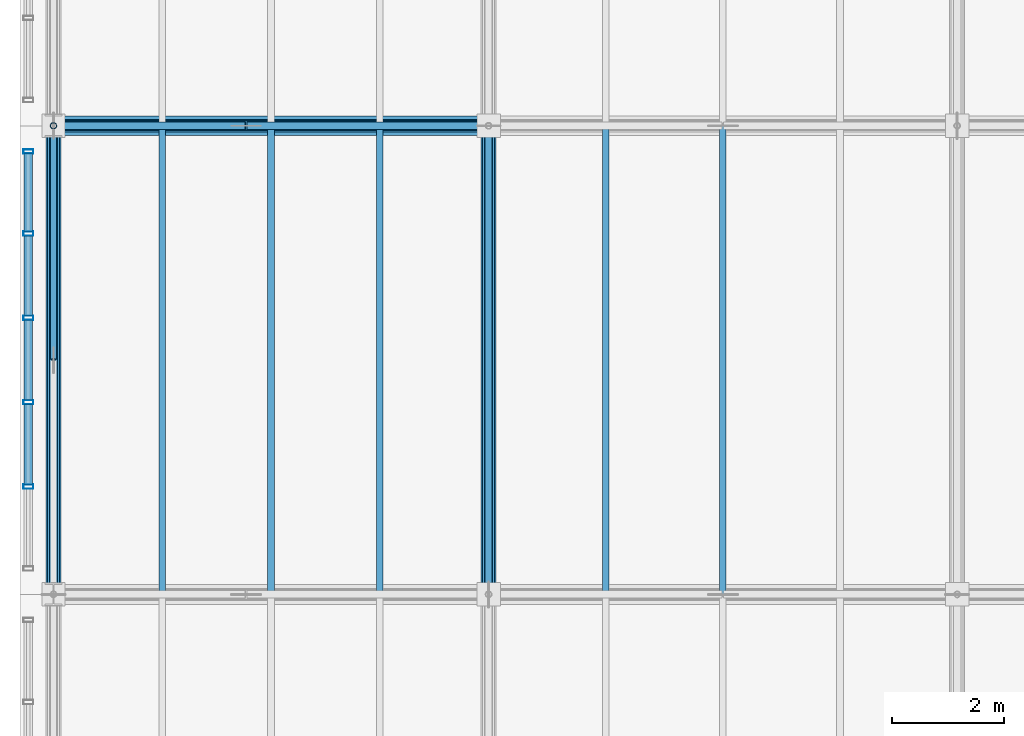
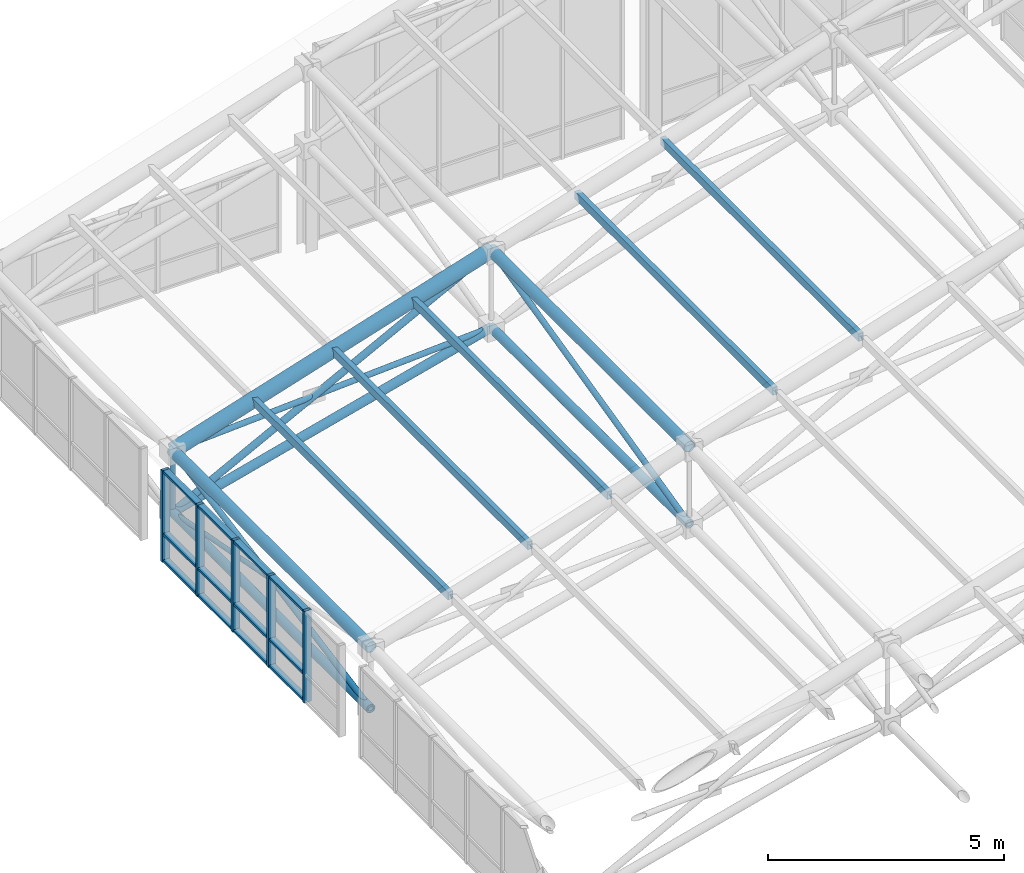
# One storey, part 61 of 144: 35 members, 1 element without a shape of its own.
"""IFC4 building model written with IfcOpenShell, lengths in metres."""

from ifc_helpers import new_model, si_unit, direction, frame, origin, origin_2d, place, context, subcontext, project, spatial, hollow_rectangle, hollow_circle, extrude, material, layer, layer_set, material_profile, profile_set, type_object, element, aggregate, save


model = new_model("IFC4")

# Units and contexts
model_context = context("Model", 3, precision=1e-05, world=origin(), true_north=direction((0.0, 1.0)))
body_context = subcontext(model_context, "Body", "Model", "MODEL_VIEW")
ifc_project = project(units=[si_unit("LENGTHUNIT", "METRE"), si_unit("AREAUNIT", "SQUARE_METRE"), si_unit("VOLUMEUNIT", "CUBIC_METRE"), si_unit("PLANEANGLEUNIT", "RADIAN"), si_unit("MASSUNIT", "GRAM", prefix="KILO")], contexts=[model_context])

# Site, building, storey
site_placement = place(None, origin())
site = spatial("IfcSite", under=ifc_project, at=site_placement, CompositionType="ELEMENT")
building_placement = place(site_placement, origin())
building = spatial("IfcBuilding", under=site, at=building_placement, Name="Zayran Congress Hotel", CompositionType="ELEMENT")
storey_placement = place(building_placement, frame((0.0, 0.0, 19.199951171875)))
storey = spatial("IfcBuildingStorey", under=building, at=storey_placement, Name="L04", CompositionType="ELEMENT", Elevation=19.199951171875)

# Members
ifc_material_1 = material(Name="Steel S355", Category="steel")
ifc_material_profile_1 = material_profile(ifc_material_1, hollow_circle(Radius=0.177734375, WallThickness=0.01611328125, at=origin_2d()), Name="CHS 355.6x16")
ifc_profile_set_1 = profile_set([ifc_material_profile_1], Name="Steel S355")
member_type_1 = type_object("IfcMemberType", Name="TP-SF-TC1", PredefinedType="CHORD", material=ifc_profile_set_1)
member_1_placement = place(storey_placement, frame((9.0, 109.60009765625, 2.19140625), z_axis=(0.953669693314, 0.0, 0.300855639892), x_axis=(0.0, 1.0, 0.0)))
element("IfcMember", 1, at=member_1_placement, inside=storey, type_object=member_type_1, Name="Space Frame Top Chord X 46", PredefinedType="CHORD", context=body_context, shape_type="SweptSolid", body=[
    extrude(hollow_circle(Radius=0.177734375, WallThickness=0.01611328125, at=origin_2d()), origin(), (0.0, 0.0, 1.0), 8.178955078125),
])
ifc_material_profile_2 = material_profile(ifc_material_1, hollow_circle(Radius=0.136474609375, WallThickness=0.012451171875, at=origin_2d()), Name="CHS 273x12.5")
ifc_profile_set_2 = profile_set([ifc_material_profile_2], Name="Steel S355")
member_type_2 = type_object("IfcMemberType", Name="TP-SF-TC2", PredefinedType="CHORD", material=ifc_profile_set_2)
for number, where, z_axis, x_axis, name in (
    (2, (9.0, 101.199951171875, 2.19140625), (0.0, 1.0, 0.0), (-1.0, 0.0, 0.0), "Space Frame Top Chord Y 41"),
    (3, (16.800048828125, 101.199951171875, 4.652099609375), (0.0, 1.0, 0.0), (-1.0, 0.0, 0.0), "Space Frame Top Chord Y 96"),
):
    element("IfcMember", number, at=place(storey_placement, frame(where, z_axis=z_axis, x_axis=x_axis)), inside=storey, type_object=member_type_2, Name=name, PredefinedType="CHORD", context=body_context, shape_type="SweptSolid", body=[
        extrude(hollow_circle(Radius=0.136474609375, WallThickness=0.012451171875, at=origin_2d()), origin(), (0.0, 0.0, 1.0), 8.400146484375),
    ])
ifc_material_profile_3 = material_profile(ifc_material_1, hollow_circle(Radius=0.109619140625, WallThickness=0.010009765625, at=origin_2d()), Name="CHS 219.1x10")
ifc_profile_set_3 = profile_set([ifc_material_profile_3], Name="Steel S355")
member_type_3 = type_object("IfcMemberType", Name="TP-SF-BC1", PredefinedType="CHORD", material=ifc_profile_set_3)
member_2_placement = place(storey_placement, frame((9.0, 101.199951171875, 0.60009765625), z_axis=(0.0, 1.0, 0.0), x_axis=(-1.0, 0.0, 0.0)))
element("IfcMember", 4, at=member_2_placement, inside=storey, type_object=member_type_3, Name="Space Frame Bottom Chord Y 42", PredefinedType="CHORD", context=body_context, shape_type="SweptSolid", body=[
    extrude(hollow_circle(Radius=0.109619140625, WallThickness=0.010009765625, at=origin_2d()), origin(), (0.0, 0.0, 1.0), 8.400146484375),
])
member_3_placement = place(storey_placement, frame((9.0, 109.60009765625, 0.60009765625), z_axis=(0.967153699015, 0.0, 0.254192294301), x_axis=(0.0, 1.0, 0.0)))
element("IfcMember", 5, at=member_3_placement, inside=storey, type_object=member_type_3, Name="Space Frame Bottom Chord X 47", PredefinedType="CHORD", context=body_context, shape_type="SweptSolid", body=[
    extrude(hollow_circle(Radius=0.109619140625, WallThickness=0.010009765625, at=origin_2d()), origin(), (0.0, 0.0, 1.0), 8.06494140625),
])
member_4_placement = place(storey_placement, frame((16.800048828125, 101.199951171875, 2.650146484375), z_axis=(0.0, 1.0, 0.0), x_axis=(-1.0, 0.0, 0.0)))
element("IfcMember", 6, at=member_4_placement, inside=storey, type_object=member_type_3, Name="Space Frame Bottom Chord Y 97", PredefinedType="CHORD", context=body_context, shape_type="SweptSolid", body=[
    extrude(hollow_circle(Radius=0.109619140625, WallThickness=0.010009765625, at=origin_2d()), origin(), (0.0, 0.0, 1.0), 8.400146484375),
])
ifc_material_profile_4 = material_profile(ifc_material_1, hollow_circle(Radius=0.084228515625, WallThickness=0.008056640625, at=origin_2d()), Name="CHS 168.3x8")
ifc_profile_set_4 = profile_set([ifc_material_profile_4], Name="Steel S355")
member_type_4 = type_object("IfcMemberType", Name="TP-SF-DG1", PredefinedType="BRACE", material=ifc_profile_set_4)
member_5_placement = place(storey_placement, frame((9.0, 109.60009765625, 0.60009765625), z_axis=(0.887404091239, 0.0, 0.46099238481), x_axis=(0.0, 1.0, 0.0)))
element("IfcMember", 7, at=member_5_placement, inside=storey, type_object=member_type_4, Name="Space Frame Web Diagonal X 48", PredefinedType="BRACE", context=body_context, shape_type="SweptSolid", body=[
    extrude(hollow_circle(Radius=0.084228515625, WallThickness=0.008056640625, at=origin_2d()), origin(), (0.0, 0.0, 1.0), 8.789794921875),
])
ifc_material_profile_5 = material_profile(ifc_material_1, hollow_circle(Radius=0.06982421875, WallThickness=0.00634765625, at=origin_2d()), Name="CHS 139.7x6.3")
ifc_profile_set_5 = profile_set([ifc_material_profile_5], Name="Steel S355")
member_type_5 = type_object("IfcMemberType", Name="TP-SF-DG2", PredefinedType="BRACE", material=ifc_profile_set_5)
member_6_placement = place(storey_placement, frame((9.0, 101.199951171875, 0.60009765625), z_axis=(0.0, 0.982525530625, 0.186127863766), x_axis=(-1.0, 0.0, 0.0)))
element("IfcMember", 8, at=member_6_placement, inside=storey, type_object=member_type_5, Name="Space Frame Web Diagonal Y 43", PredefinedType="BRACE", context=body_context, shape_type="SweptSolid", body=[
    extrude(hollow_circle(Radius=0.06982421875, WallThickness=0.00634765625, at=origin_2d()), origin(), (0.0, 0.0, 1.0), 8.549560546875),
])
member_7_placement = place(storey_placement, frame((9.0, 109.60009765625, 2.19140625), z_axis=(0.998277060117, 0.0, 0.0586763261), x_axis=(0.0, 1.0, 0.0)))
element("IfcMember", 9, at=member_7_placement, inside=storey, type_object=member_type_5, Name="Space Frame Counter Diagonal X Upper 49", PredefinedType="BRACE", context=body_context, shape_type="SweptSolid", body=[
    extrude(hollow_circle(Radius=0.06982421875, WallThickness=0.00634765625, at=origin_2d()), origin(), (0.0, 0.0, 1.0), 3.445068359375),
])
member_8_placement = place(storey_placement, frame((12.46923828125, 109.60009765625, 2.395263671875), z_axis=(0.99827262625, 0.0, 0.058751712149), x_axis=(0.0, 1.0, 0.0)))
element("IfcMember", 10, at=member_8_placement, inside=storey, type_object=member_type_5, Name="Space Frame Counter Diagonal X Lower 11", PredefinedType="BRACE", context=body_context, shape_type="SweptSolid", body=[
    extrude(hollow_circle(Radius=0.06982421875, WallThickness=0.00634765625, at=origin_2d()), origin(), (0.0, 0.0, 1.0), 4.33837890625),
])
member_9_placement = place(storey_placement, frame((16.800048828125, 101.199951171875, 2.650146484375), z_axis=(0.0, 0.972756139537, 0.231830742122), x_axis=(-1.0, 0.0, 0.0)))
element("IfcMember", 11, at=member_9_placement, inside=storey, type_object=member_type_5, Name="Space Frame Web Diagonal Y 98", PredefinedType="BRACE", context=body_context, shape_type="SweptSolid", body=[
    extrude(hollow_circle(Radius=0.06982421875, WallThickness=0.00634765625, at=origin_2d()), origin(), (0.0, 0.0, 1.0), 8.635498046875),
])
ifc_material_profile_6 = material_profile(ifc_material_1, hollow_circle(Radius=0.05712890625, WallThickness=0.00634765625, at=origin_2d()), Name="CHS 114.3x6.3")
ifc_profile_set_6 = profile_set([ifc_material_profile_6], Name="Steel S355")
member_type_6 = type_object("IfcMemberType", Name="TP-SF-DG3", PredefinedType="BRACE", material=ifc_profile_set_6)
member_10_placement = place(storey_placement, frame((9.0, 105.414794921875, 1.39306640625), z_axis=(0.0, 0.982520698357, -0.186153370371), x_axis=(-1.0, 0.0, 0.0)))
element("IfcMember", 12, at=member_10_placement, inside=storey, type_object=member_type_6, Name="Space Frame Bracing Diagonal Y Lower 10", PredefinedType="BRACE", context=body_context, shape_type="SweptSolid", body=[
    extrude(hollow_circle(Radius=0.05712890625, WallThickness=0.00634765625, at=origin_2d()), origin(), (0.0, 0.0, 1.0), 4.259765625),
])
member_11_placement = place(storey_placement, frame((9.0, 109.60009765625, 0.60009765625), z_axis=(0.0, 0.0, 1.0), x_axis=(0.0, 1.0, 0.0)))
element("IfcMember", 13, at=member_11_placement, inside=storey, type_object=member_type_6, Name="Space Frame Web Strut 54", PredefinedType="BRACE", context=body_context, shape_type="SweptSolid", body=[
    extrude(hollow_circle(Radius=0.05712890625, WallThickness=0.00634765625, at=origin_2d()), origin(), (0.0, 0.0, 1.0), 1.59130859375),
])
ifc_material_profile_7 = material_profile(ifc_material_1, hollow_rectangle(XDim=0.1201171875, YDim=0.199951171875, WallThickness=0.008056640625, at=origin_2d()), Name="RHS 200x120x8")
ifc_profile_set_7 = profile_set([ifc_material_profile_7], Name="Steel S355")
member_type_7 = type_object("IfcMemberType", Name="TP-PR-01", PredefinedType="PURLIN", material=ifc_profile_set_7)
for number, where, z_axis, x_axis, name in (
    (14, (10.949951171875, 101.199951171875, 2.8486328125), (0.0, 1.0, 0.0), (-1.0, 0.0, 0.0), "MEM-PR-V1-0005"),
    (15, (12.89990234375, 101.199951171875, 3.4638671875), (0.0, 1.0, 0.0), (-1.0, 0.0, 0.0), "MEM-PR-V1-0011"),
    (16, (14.85009765625, 101.199951171875, 4.078857421875), (0.0, 1.0, 0.0), (-1.0, 0.0, 0.0), "MEM-PR-V1-0017"),
    (17, (18.89990234375, 101.199951171875, 5.3564453125), (0.0, 1.0, 0.0), (-1.0, 0.0, 0.0), "MEM-PR-V1-0023"),
    (18, (21.0, 101.199951171875, 6.01904296875), (0.0, 1.0, 0.0), (-1.0, 0.0, 0.0), "MEM-PR-V1-0029"),
):
    element("IfcMember", number, at=place(storey_placement, frame(where, z_axis=z_axis, x_axis=x_axis)), inside=storey, type_object=member_type_7, Name=name, PredefinedType="PURLIN", context=body_context, shape_type="SweptSolid", body=[
        extrude(hollow_rectangle(XDim=0.1201171875, YDim=0.199951171875, WallThickness=0.008056640625, at=origin_2d()), origin(), (0.0, 0.0, 1.0), 8.400146484375),
    ])

# Curtain wall, members
ifc_material_2 = material(Name="Anodised aluminium and low-E insulated glass", Category="aluminium")
ifc_layer = layer(ifc_material_2, 0.179931640625)
ifc_layer_set = layer_set([ifc_layer], Name="Anodised aluminium and low-E insulated glass")
curtain_wall_type = type_object("IfcCurtainWallType", Name="CW-V1CL-L04-CW-31-7560-2370", PredefinedType="USERDEFINED", material=ifc_layer_set)
curtain_wall_placement = place(storey_placement, origin())
curtain_wall = element("IfcCurtainWall", 19, at=curtain_wall_placement, inside=storey, type_object=curtain_wall_type, Name="CW-V1CLW-4", ObjectType="CURTAIN WALL", PredefinedType="USERDEFINED")
ifc_material_3 = material(Name="Anodised aluminium framing", Category="aluminium")
ifc_material_profile_8 = material_profile(ifc_material_3, hollow_rectangle(XDim=0.080078125, YDim=0.179931640625, WallThickness=0.0048828125, at=origin_2d()), Name="RHS 180x80x5")
ifc_profile_set_8 = profile_set([ifc_material_profile_8], Name="Anodised aluminium framing")
member_type_8 = type_object("IfcMemberType", Name="TP-CWM-01", PredefinedType="MULLION", material=ifc_profile_set_8)
member_12_placement = place(storey_placement, frame((8.550048828125, 109.139892578125, -0.219970703125), z_axis=(0.0, 0.0, 1.0), x_axis=(0.0, 1.0, 0.0)))
member_12 = element("IfcMember", 20, at=member_12_placement, type_object=member_type_8, Name="CW-V1CLW-4-M00", PredefinedType="MULLION", context=body_context, shape_type="SweptSolid", body=[
    extrude(hollow_rectangle(XDim=0.080078125, YDim=0.179931640625, WallThickness=0.0048828125, at=origin_2d()), origin(), (0.0, 0.0, 1.0), 2.3701171875),
])
member_13_placement = place(storey_placement, frame((8.550048828125, 107.66796875, -0.219970703125), z_axis=(0.0, 0.0, 1.0), x_axis=(0.0, 1.0, 0.0)))
member_13 = element("IfcMember", 21, at=member_13_placement, type_object=member_type_8, Name="CW-V1CLW-4-M01", PredefinedType="MULLION", context=body_context, shape_type="SweptSolid", body=[
    extrude(hollow_rectangle(XDim=0.080078125, YDim=0.179931640625, WallThickness=0.0048828125, at=origin_2d()), origin(), (0.0, 0.0, 1.0), 2.3701171875),
])
member_14_placement = place(storey_placement, frame((8.550048828125, 106.156005859375, -0.219970703125), z_axis=(0.0, 0.0, 1.0), x_axis=(0.0, 1.0, 0.0)))
member_14 = element("IfcMember", 22, at=member_14_placement, type_object=member_type_8, Name="CW-V1CLW-4-M02", PredefinedType="MULLION", context=body_context, shape_type="SweptSolid", body=[
    extrude(hollow_rectangle(XDim=0.080078125, YDim=0.179931640625, WallThickness=0.0048828125, at=origin_2d()), origin(), (0.0, 0.0, 1.0), 2.3701171875),
])
member_15_placement = place(storey_placement, frame((8.550048828125, 104.64404296875, -0.219970703125), z_axis=(0.0, 0.0, 1.0), x_axis=(0.0, 1.0, 0.0)))
member_15 = element("IfcMember", 23, at=member_15_placement, type_object=member_type_8, Name="CW-V1CLW-4-M03", PredefinedType="MULLION", context=body_context, shape_type="SweptSolid", body=[
    extrude(hollow_rectangle(XDim=0.080078125, YDim=0.179931640625, WallThickness=0.0048828125, at=origin_2d()), origin(), (0.0, 0.0, 1.0), 2.3701171875),
])
member_16_placement = place(storey_placement, frame((8.550048828125, 103.132080078125, -0.219970703125), z_axis=(0.0, 0.0, 1.0), x_axis=(0.0, 1.0, 0.0)))
member_16 = element("IfcMember", 24, at=member_16_placement, type_object=member_type_8, Name="CW-V1CLW-4-M04", PredefinedType="MULLION", context=body_context, shape_type="SweptSolid", body=[
    extrude(hollow_rectangle(XDim=0.080078125, YDim=0.179931640625, WallThickness=0.0048828125, at=origin_2d()), origin(), (0.0, 0.0, 1.0), 2.3701171875),
])
ifc_material_profile_9 = material_profile(ifc_material_3, hollow_rectangle(XDim=0.06005859375, YDim=0.14990234375, WallThickness=0.00390625, at=origin_2d()), Name="RHS 150x60x4")
ifc_profile_set_9 = profile_set([ifc_material_profile_9], Name="Anodised aluminium framing")
member_type_9 = type_object("IfcMemberType", Name="TP-CWT-01", PredefinedType="USERDEFINED", material=ifc_profile_set_9)
member_17_placement = place(storey_placement, frame((8.550048828125, 109.10009765625, -0.18994140625), z_axis=(0.0, -1.0, 0.0), x_axis=(0.0, 0.0, 1.0)))
member_17 = element("IfcMember", 25, at=member_17_placement, type_object=member_type_9, Name="CW-V1CLW-4-T00-0", ObjectType="TRANSOM", PredefinedType="USERDEFINED", context=body_context, shape_type="SweptSolid", body=[
    extrude(hollow_rectangle(XDim=0.06005859375, YDim=0.14990234375, WallThickness=0.00390625, at=origin_2d()), origin(), (0.0, 0.0, 1.0), 1.39208984375),
])
member_18_placement = place(storey_placement, frame((8.550048828125, 109.10009765625, 0.5), z_axis=(0.0, -1.0, 0.0), x_axis=(0.0, 0.0, 1.0)))
member_18 = element("IfcMember", 26, at=member_18_placement, type_object=member_type_9, Name="CW-V1CLW-4-T00-1", ObjectType="TRANSOM", PredefinedType="USERDEFINED", context=body_context, shape_type="SweptSolid", body=[
    extrude(hollow_rectangle(XDim=0.06005859375, YDim=0.14990234375, WallThickness=0.00390625, at=origin_2d()), origin(), (0.0, 0.0, 1.0), 1.39208984375),
])
member_19_placement = place(storey_placement, frame((8.550048828125, 109.10009765625, 2.1201171875), z_axis=(0.0, -1.0, 0.0), x_axis=(0.0, 0.0, 1.0)))
member_19 = element("IfcMember", 27, at=member_19_placement, type_object=member_type_9, Name="CW-V1CLW-4-T00-2", ObjectType="TRANSOM", PredefinedType="USERDEFINED", context=body_context, shape_type="SweptSolid", body=[
    extrude(hollow_rectangle(XDim=0.06005859375, YDim=0.14990234375, WallThickness=0.00390625, at=origin_2d()), origin(), (0.0, 0.0, 1.0), 1.39208984375),
])
member_20_placement = place(storey_placement, frame((8.550048828125, 107.6279296875, -0.18994140625), z_axis=(0.0, -1.0, 0.0), x_axis=(0.0, 0.0, 1.0)))
member_20 = element("IfcMember", 28, at=member_20_placement, type_object=member_type_9, Name="CW-V1CLW-4-T01-0", ObjectType="TRANSOM", PredefinedType="USERDEFINED", context=body_context, shape_type="SweptSolid", body=[
    extrude(hollow_rectangle(XDim=0.06005859375, YDim=0.14990234375, WallThickness=0.00390625, at=origin_2d()), origin(), (0.0, 0.0, 1.0), 1.431884765625),
])
member_21_placement = place(storey_placement, frame((8.550048828125, 107.6279296875, 0.5), z_axis=(0.0, -1.0, 0.0), x_axis=(0.0, 0.0, 1.0)))
member_21 = element("IfcMember", 29, at=member_21_placement, type_object=member_type_9, Name="CW-V1CLW-4-T01-1", ObjectType="TRANSOM", PredefinedType="USERDEFINED", context=body_context, shape_type="SweptSolid", body=[
    extrude(hollow_rectangle(XDim=0.06005859375, YDim=0.14990234375, WallThickness=0.00390625, at=origin_2d()), origin(), (0.0, 0.0, 1.0), 1.431884765625),
])
member_22_placement = place(storey_placement, frame((8.550048828125, 107.6279296875, 2.1201171875), z_axis=(0.0, -1.0, 0.0), x_axis=(0.0, 0.0, 1.0)))
member_22 = element("IfcMember", 30, at=member_22_placement, type_object=member_type_9, Name="CW-V1CLW-4-T01-2", ObjectType="TRANSOM", PredefinedType="USERDEFINED", context=body_context, shape_type="SweptSolid", body=[
    extrude(hollow_rectangle(XDim=0.06005859375, YDim=0.14990234375, WallThickness=0.00390625, at=origin_2d()), origin(), (0.0, 0.0, 1.0), 1.431884765625),
])
member_23_placement = place(storey_placement, frame((8.550048828125, 106.115966796875, -0.18994140625), z_axis=(0.0, -1.0, 0.0), x_axis=(0.0, 0.0, 1.0)))
member_23 = element("IfcMember", 31, at=member_23_placement, type_object=member_type_9, Name="CW-V1CLW-4-T02-0", ObjectType="TRANSOM", PredefinedType="USERDEFINED", context=body_context, shape_type="SweptSolid", body=[
    extrude(hollow_rectangle(XDim=0.06005859375, YDim=0.14990234375, WallThickness=0.00390625, at=origin_2d()), origin(), (0.0, 0.0, 1.0), 1.431884765625),
])
member_24_placement = place(storey_placement, frame((8.550048828125, 106.115966796875, 0.5), z_axis=(0.0, -1.0, 0.0), x_axis=(0.0, 0.0, 1.0)))
member_24 = element("IfcMember", 32, at=member_24_placement, type_object=member_type_9, Name="CW-V1CLW-4-T02-1", ObjectType="TRANSOM", PredefinedType="USERDEFINED", context=body_context, shape_type="SweptSolid", body=[
    extrude(hollow_rectangle(XDim=0.06005859375, YDim=0.14990234375, WallThickness=0.00390625, at=origin_2d()), origin(), (0.0, 0.0, 1.0), 1.431884765625),
])
member_25_placement = place(storey_placement, frame((8.550048828125, 106.115966796875, 2.1201171875), z_axis=(0.0, -1.0, 0.0), x_axis=(0.0, 0.0, 1.0)))
member_25 = element("IfcMember", 33, at=member_25_placement, type_object=member_type_9, Name="CW-V1CLW-4-T02-2", ObjectType="TRANSOM", PredefinedType="USERDEFINED", context=body_context, shape_type="SweptSolid", body=[
    extrude(hollow_rectangle(XDim=0.06005859375, YDim=0.14990234375, WallThickness=0.00390625, at=origin_2d()), origin(), (0.0, 0.0, 1.0), 1.431884765625),
])
member_26_placement = place(storey_placement, frame((8.550048828125, 104.60400390625, -0.18994140625), z_axis=(0.0, -1.0, 0.0), x_axis=(0.0, 0.0, 1.0)))
member_26 = element("IfcMember", 34, at=member_26_placement, type_object=member_type_9, Name="CW-V1CLW-4-T03-0", ObjectType="TRANSOM", PredefinedType="USERDEFINED", context=body_context, shape_type="SweptSolid", body=[
    extrude(hollow_rectangle(XDim=0.06005859375, YDim=0.14990234375, WallThickness=0.00390625, at=origin_2d()), origin(), (0.0, 0.0, 1.0), 1.431884765625),
])
member_27_placement = place(storey_placement, frame((8.550048828125, 104.60400390625, 0.5), z_axis=(0.0, -1.0, 0.0), x_axis=(0.0, 0.0, 1.0)))
member_27 = element("IfcMember", 35, at=member_27_placement, type_object=member_type_9, Name="CW-V1CLW-4-T03-1", ObjectType="TRANSOM", PredefinedType="USERDEFINED", context=body_context, shape_type="SweptSolid", body=[
    extrude(hollow_rectangle(XDim=0.06005859375, YDim=0.14990234375, WallThickness=0.00390625, at=origin_2d()), origin(), (0.0, 0.0, 1.0), 1.431884765625),
])
member_28_placement = place(storey_placement, frame((8.550048828125, 104.60400390625, 2.1201171875), z_axis=(0.0, -1.0, 0.0), x_axis=(0.0, 0.0, 1.0)))
member_28 = element("IfcMember", 36, at=member_28_placement, type_object=member_type_9, Name="CW-V1CLW-4-T03-2", ObjectType="TRANSOM", PredefinedType="USERDEFINED", context=body_context, shape_type="SweptSolid", body=[
    extrude(hollow_rectangle(XDim=0.06005859375, YDim=0.14990234375, WallThickness=0.00390625, at=origin_2d()), origin(), (0.0, 0.0, 1.0), 1.431884765625),
])
aggregate(curtain_wall, [member_12, member_13, member_14, member_15, member_16, member_17, member_18, member_19, member_20, member_21, member_22, member_23, member_24, member_25, member_26, member_27, member_28])

save(model, "model.ifc")
